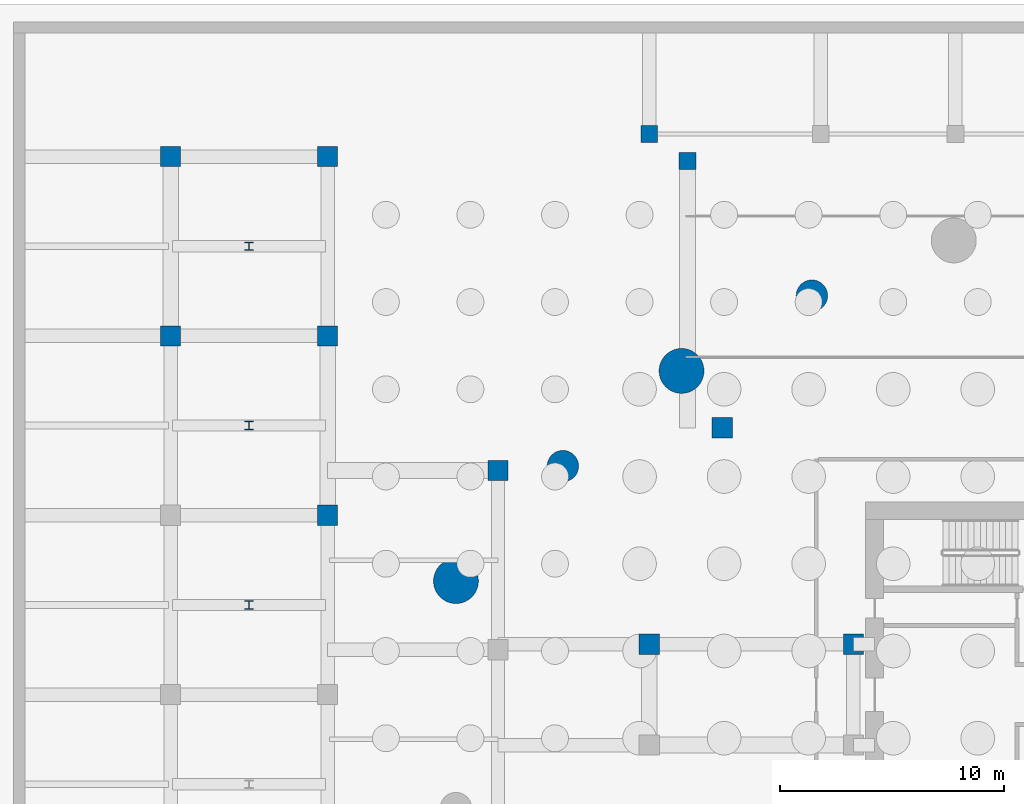
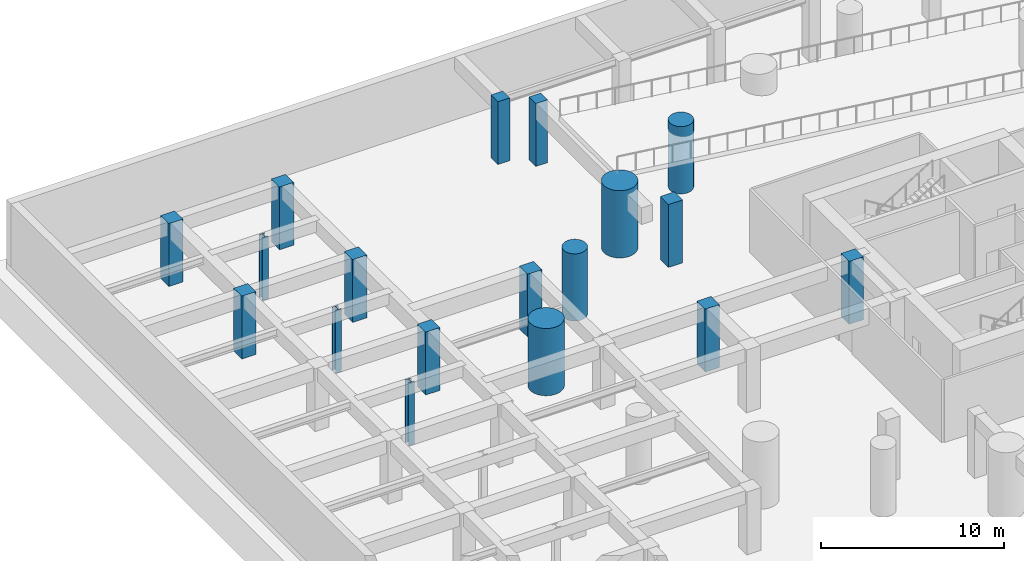
# One storey, part 4 of 11: 18 columns.
"""IFC4 building model written with IfcOpenShell, lengths in metres."""

from ifc_helpers import new_model, si_unit, direction, frame, origin, origin_2d, place, context, subcontext, project, spatial, rectangle, circle, i_section, extrude, source, transform, mapped, material, material_profile, profile_set, type_object, element, save


model = new_model("IFC4")

# Units and contexts
model_context = context("Model", 3, precision=1e-05, world=origin(), true_north=direction((0.0, 1.0)))
body_context = subcontext(model_context, "Body", "Model", "MODEL_VIEW")
ifc_project = project(units=[si_unit("LENGTHUNIT", "METRE"), si_unit("AREAUNIT", "SQUARE_METRE"), si_unit("VOLUMEUNIT", "CUBIC_METRE"), si_unit("PLANEANGLEUNIT", "RADIAN"), si_unit("MASSUNIT", "GRAM", prefix="KILO")], contexts=[model_context])

# Site, building, storey
site_placement = place(None, origin())
site = spatial("IfcSite", under=ifc_project, at=site_placement, CompositionType="ELEMENT")
building_placement = place(site_placement, origin())
building = spatial("IfcBuilding", under=site, at=building_placement, Name="Qafzar Sky-Pleat Residences", CompositionType="ELEMENT")
storey_placement = place(building_placement, frame((0.0, 0.0, -8.699951171875)))
storey = spatial("IfcBuildingStorey", under=building, at=storey_placement, Name="B02", CompositionType="ELEMENT", Elevation=-8.699951171875)

# Columns
ifc_material_1 = material(Name="Concrete C60/75", Category="concrete")
ifc_material_profile_1 = material_profile(ifc_material_1, circle(Radius=1.0, at=origin_2d()), Name="RC D2000")
ifc_profile_set_1 = profile_set([ifc_material_profile_1], Name="Concrete C60/75")
column_type_1 = type_object("IfcColumnType", Name="COL-STILT-D2000", PredefinedType="COLUMN", material=ifc_profile_set_1)
shared_shape_1 = source(origin(), body_context, "Body", "SweptSolid", [
    extrude(circle(Radius=1.0, at=origin_2d()), origin(), (0.0, 0.0, 1.0), 4.494873046875),
])
for number, where, z_axis, x_axis, name in (
    (1, (5.724609375, 31.062744140625, 0.0), (0.0, 0.0, 1.0), (1.0, 0.0, 0.0), "B02 Mega-Column STILT-01"),
    (2, (15.787353515625, 40.43798828125, 0.0), (0.0, 0.0, 1.0), (1.0, 0.0, 0.0), "B02 Mega-Column STILT-09"),
):
    element("IfcColumn", number, at=place(storey_placement, frame(where, z_axis=z_axis, x_axis=x_axis)), inside=storey, type_object=column_type_1, Name=name, PredefinedType="COLUMN", context=body_context, shape_type="MappedRepresentation", body=[
        mapped(shared_shape_1, transform((0.0, 0.0, 0.0), x_axis=(1.0, 0.0, 0.0), y_axis=(0.0, 1.0, 0.0), z_axis=(0.0, 0.0, 1.0), scale=1.0)),
    ])
ifc_material_profile_2 = material_profile(ifc_material_1, circle(Radius=0.699951171875, at=origin_2d()), Name="RC D1400")
ifc_profile_set_2 = profile_set([ifc_material_profile_2], Name="Concrete C60/75")
column_type_2 = type_object("IfcColumnType", Name="COL-MEGA-D1400", PredefinedType="COLUMN", material=ifc_profile_set_2)
shared_shape_2 = source(origin(), body_context, "Body", "SweptSolid", [
    extrude(circle(Radius=0.699951171875, at=origin_2d()), origin(), (0.0, 0.0, 1.0), 4.494873046875),
])
for number, where, z_axis, x_axis, name in (
    (3, (21.602783203125, 43.79541015625, 0.0), (0.0, 0.0, 1.0), (1.0, 0.0, 0.0), "B02 Branch Mega-Column STILT-BR-08"),
    (4, (10.493408203125, 36.190185546875, 0.0), (0.0, 0.0, 1.0), (1.0, 0.0, 0.0), "B02 Branch Mega-Column STILT-BR-09"),
):
    element("IfcColumn", number, at=place(storey_placement, frame(where, z_axis=z_axis, x_axis=x_axis)), inside=storey, type_object=column_type_2, Name=name, PredefinedType="COLUMN", context=body_context, shape_type="MappedRepresentation", body=[
        mapped(shared_shape_2, transform((0.0, 0.0, 0.0), x_axis=(1.0, 0.0, 0.0), y_axis=(0.0, 1.0, 0.0), z_axis=(0.0, 0.0, 1.0), scale=1.0)),
    ])
ifc_material_2 = material(Name="Steel S355", Category="steel")
ifc_material_profile_3 = material_profile(ifc_material_2, i_section(OverallWidth=0.3740234375, OverallDepth=0.3720703125, WebThickness=0.01611328125, FlangeThickness=0.02587890625, FilletRadius=0.014892578125, at=origin_2d()), Name="HD 360x196")
ifc_profile_set_3 = profile_set([ifc_material_profile_3], Name="Steel S355")
column_type_3 = type_object("IfcColumnType", Name="COL-STL-HD196", PredefinedType="PILASTER", material=ifc_profile_set_3)
shared_shape_3 = source(origin(), body_context, "Body", "SweptSolid", [
    extrude(i_section(OverallWidth=0.3740234375, OverallDepth=0.3720703125, WebThickness=0.01611328125, FlangeThickness=0.02587890625, FilletRadius=0.014892578125, at=origin_2d()), origin(), (0.0, 0.0, 1.0), 4.199951171875),
])
for number, where, z_axis, x_axis, name in (
    (5, (-3.5, 30.0, 0.0), (0.0, 0.0, 1.0), (1.0, 0.0, 0.0), "B02 West Basement Steel Post 4"),
    (6, (-3.5, 38.0, 0.0), (0.0, 0.0, 1.0), (1.0, 0.0, 0.0), "B02 West Basement Steel Post 5"),
    (7, (-3.5, 46.0, 0.0), (0.0, 0.0, 1.0), (1.0, 0.0, 0.0), "B02 West Basement Steel Post 6"),
):
    element("IfcColumn", number, at=place(storey_placement, frame(where, z_axis=z_axis, x_axis=x_axis)), inside=storey, type_object=column_type_3, Name=name, PredefinedType="PILASTER", context=body_context, shape_type="MappedRepresentation", body=[
        mapped(shared_shape_3, transform((0.0, 0.0, 0.0), x_axis=(1.0, 0.0, 0.0), y_axis=(0.0, 1.0, 0.0), z_axis=(0.0, 0.0, 1.0), scale=1.0)),
    ])
ifc_material_profile_4 = material_profile(ifc_material_1, rectangle(XDim=0.89990234375, YDim=0.89990234375, at=origin_2d()), Name="RC 900x900")
ifc_profile_set_4 = profile_set([ifc_material_profile_4], Name="Concrete C60/75")
column_type_4 = type_object("IfcColumnType", Name="COL-RC-900", PredefinedType="COLUMN", material=ifc_profile_set_4)
shared_shape_4 = source(origin(), body_context, "Body", "SweptSolid", [
    extrude(rectangle(XDim=0.89990234375, YDim=0.89990234375, at=origin_2d()), origin(), (0.0, 0.0, 1.0), 4.199951171875),
])
for number, where, z_axis, x_axis, name in (
    (8, (-7.0, 42.0, 0.0), (0.0, 0.0, 1.0), (1.0, 0.0, 0.0), "B02 Substructure Column 6"),
    (9, (-7.0, 50.0, 0.0), (0.0, 0.0, 1.0), (1.0, 0.0, 0.0), "B02 Substructure Column 7"),
    (10, (0.0, 34.0, 0.0), (0.0, 0.0, 1.0), (1.0, 0.0, 0.0), "B02 Substructure Column 12"),
    (11, (0.0, 42.0, 0.0), (0.0, 0.0, 1.0), (1.0, 0.0, 0.0), "B02 Substructure Column 13"),
    (12, (0.0, 50.0, 0.0), (0.0, 0.0, 1.0), (1.0, 0.0, 0.0), "B02 Substructure Column 14"),
    (13, (7.60009765625, 36.0, 0.0), (0.0, 0.0, 1.0), (1.0, 0.0, 0.0), "B02 Substructure Column 17"),
    (14, (14.35009765625, 28.25, 0.0), (0.0, 0.0, 1.0), (1.0, 0.0, 0.0), "B02 Substructure Column 23"),
    (15, (23.449951171875, 28.25, 0.0), (0.0, 0.0, 1.0), (1.0, 0.0, 0.0), "B02 Substructure Column 24"),
    (16, (17.60009765625, 37.89990234375, 0.0), (0.0, 0.0, 1.0), (1.0, 0.0, 0.0), "B02 Substructure Column 26"),
):
    element("IfcColumn", number, at=place(storey_placement, frame(where, z_axis=z_axis, x_axis=x_axis)), inside=storey, type_object=column_type_4, Name=name, PredefinedType="COLUMN", context=body_context, shape_type="MappedRepresentation", body=[
        mapped(shared_shape_4, transform((0.0, 0.0, 0.0), x_axis=(1.0, 0.0, 0.0), y_axis=(0.0, 1.0, 0.0), z_axis=(0.0, 0.0, 1.0), scale=1.0)),
    ])
ifc_material_profile_5 = material_profile(ifc_material_1, rectangle(XDim=0.75, YDim=0.75, at=origin_2d()), Name="RC 750x750")
ifc_profile_set_5 = profile_set([ifc_material_profile_5], Name="Concrete C60/75")
column_type_5 = type_object("IfcColumnType", Name="COL-RC-750", PredefinedType="COLUMN", material=ifc_profile_set_5)
shared_shape_5 = source(origin(), body_context, "Body", "SweptSolid", [
    extrude(rectangle(XDim=0.75, YDim=0.75, at=origin_2d()), origin(), (0.0, 0.0, 1.0), 4.199951171875),
])
for number, where, z_axis, x_axis, name in (
    (17, (16.050048828125, 49.800048828125, 0.0), (0.0, 0.0, 1.0), (1.0, 0.0, 0.0), "B02 Substructure Column 28"),
    (18, (14.35009765625, 51.0, 0.0), (0.0, 0.0, 1.0), (1.0, 0.0, 0.0), "B02 Substructure Column 36"),
):
    element("IfcColumn", number, at=place(storey_placement, frame(where, z_axis=z_axis, x_axis=x_axis)), inside=storey, type_object=column_type_5, Name=name, PredefinedType="COLUMN", context=body_context, shape_type="MappedRepresentation", body=[
        mapped(shared_shape_5, transform((0.0, 0.0, 0.0), x_axis=(1.0, 0.0, 0.0), y_axis=(0.0, 1.0, 0.0), z_axis=(0.0, 0.0, 1.0), scale=1.0)),
    ])

save(model, "model.ifc")
